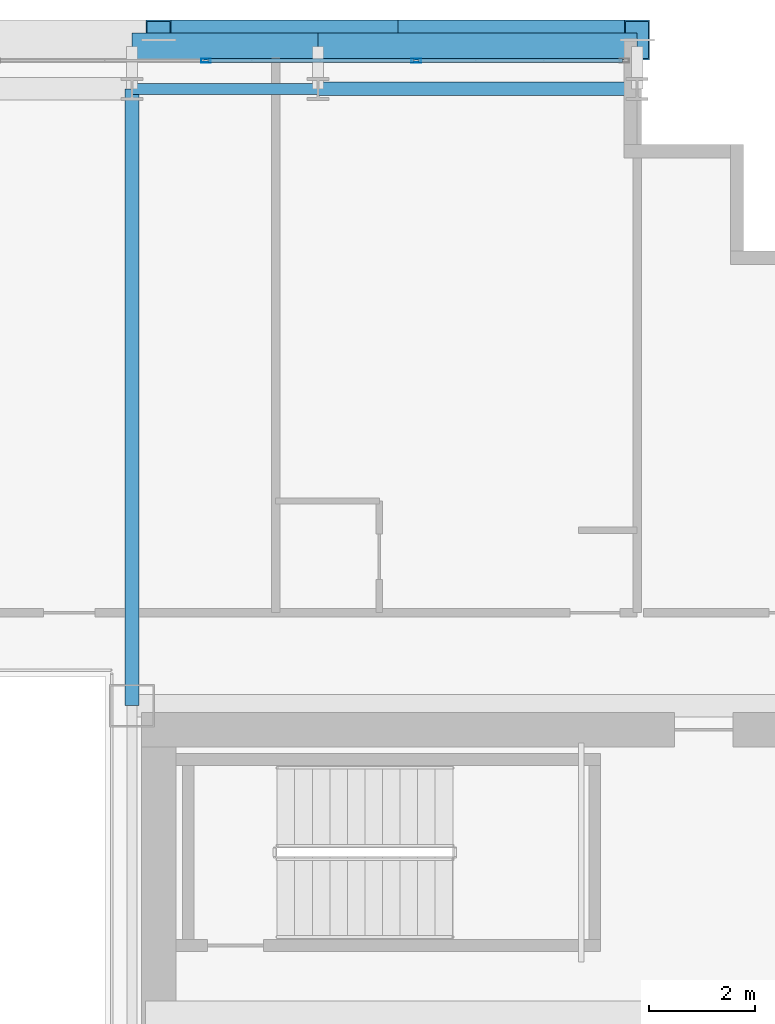
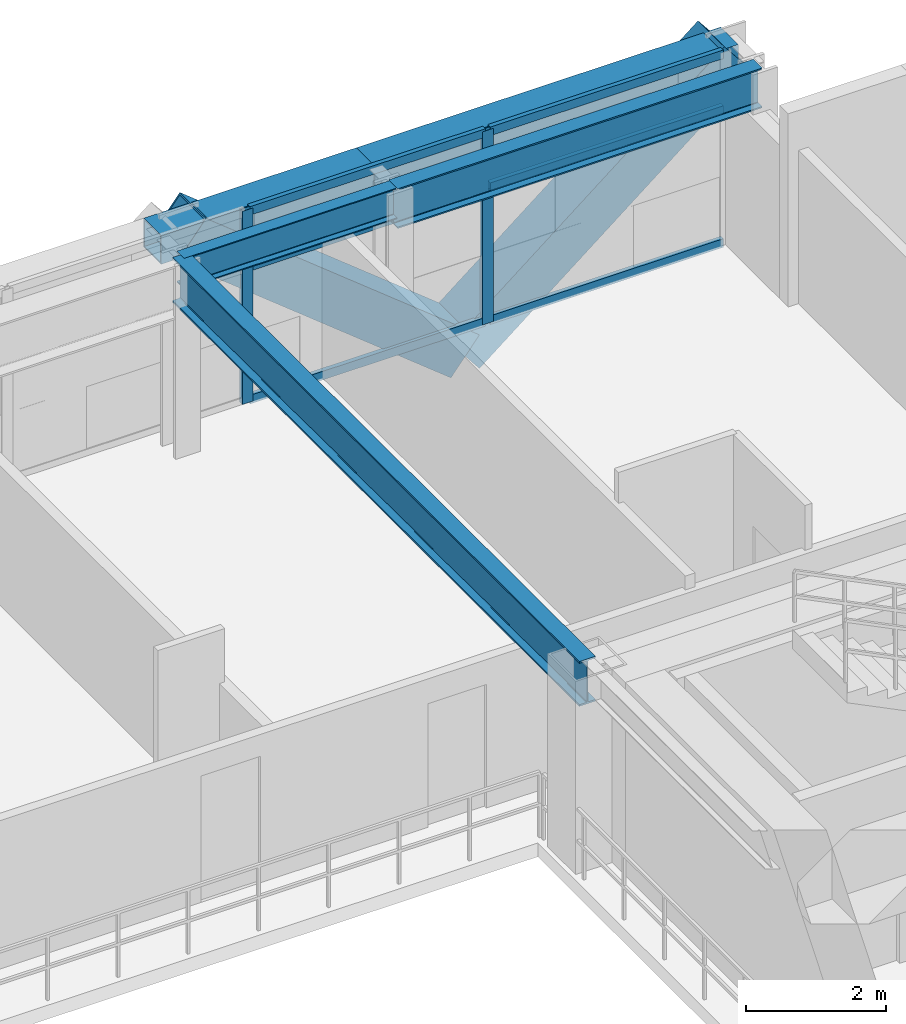
# One storey, part 21 of 35: 10 members, 5 beams, 1 element without a shape of its own.
"""IFC4 building model written with IfcOpenShell, lengths in metres."""

from ifc_helpers import new_model, si_unit, direction, frame, origin, origin_2d, place, context, subcontext, project, spatial, hollow_rectangle, i_section, extrude, source, transform, mapped, material, layer, layer_set, material_profile, profile_set, type_object, element, aggregate, save


model = new_model("IFC4")

# Units and contexts
model_context = context("Model", 3, precision=1e-05, world=origin(), true_north=direction((0.0, 1.0)))
body_context = subcontext(model_context, "Body", "Model", "MODEL_VIEW")
ifc_project = project(units=[si_unit("LENGTHUNIT", "METRE"), si_unit("AREAUNIT", "SQUARE_METRE"), si_unit("VOLUMEUNIT", "CUBIC_METRE"), si_unit("PLANEANGLEUNIT", "RADIAN"), si_unit("MASSUNIT", "GRAM", prefix="KILO")], contexts=[model_context])

# Site, building, storey
site_placement = place(None, origin())
site = spatial("IfcSite", under=ifc_project, at=site_placement, CompositionType="ELEMENT")
building_placement = place(site_placement, origin())
building = spatial("IfcBuilding", under=site, at=building_placement, Name="Ocotamira Hotel", CompositionType="ELEMENT")
storey_placement = place(building_placement, frame((0.0, 0.0, 115.199951171875)))
storey = spatial("IfcBuildingStorey", under=building, at=storey_placement, Name="L28", CompositionType="ELEMENT", Elevation=115.199951171875)

# Beams
ifc_material_1 = material(Name="Steel ASTM A992 Grade 50", Category="steel")
ifc_material_profile_1 = material_profile(ifc_material_1, i_section(OverallWidth=0.256103515625, OverallDepth=0.693115234375, WebThickness=0.014404296875, FlangeThickness=0.023681640625, FilletRadius=0.01611328125, at=origin_2d()), Name="W27X114")
ifc_profile_set_1 = profile_set([ifc_material_profile_1], Name="Steel ASTM A992 Grade 50")
beam_type_1 = type_object("IfcBeamType", Name="BM-PRIM-W27X114", PredefinedType="BEAM", material=ifc_profile_set_1)
shared_shape_1 = source(origin(), body_context, "Body", "SweptSolid", [
    extrude(i_section(OverallWidth=0.256103515625, OverallDepth=0.693115234375, WebThickness=0.014404296875, FlangeThickness=0.023681640625, FilletRadius=0.01611328125, at=origin_2d()), origin(), (0.0, 0.0, 1.0), 6.0),
])
beam_1_placement = place(storey_placement, frame((44.0, 49.050048828125, 3.013427734375), z_axis=(1.0, 0.0, 0.0), x_axis=(0.0, 1.0, 0.0)))
element("IfcBeam", 1, at=beam_1_placement, inside=storey, type_object=beam_type_1, Name="L28 Girder Y49.05 X44-50", PredefinedType="BEAM", context=body_context, shape_type="MappedRepresentation", body=[
    mapped(shared_shape_1, transform((0.0, 0.0, 0.0), scale=1.0)),
])
ifc_material_profile_2 = material_profile(ifc_material_1, i_section(OverallWidth=0.2099609375, OverallDepth=0.537109375, WebThickness=0.010986328125, FlangeThickness=0.017333984375, FilletRadius=0.012939453125, at=origin_2d()), Name="W21X68")
ifc_profile_set_2 = profile_set([ifc_material_profile_2], Name="Steel ASTM A992 Grade 50")
beam_type_2 = type_object("IfcBeamType", Name="BM-SEC-W21X68", PredefinedType="JOIST", material=ifc_profile_set_2)
shared_shape_2 = source(origin(), body_context, "Body", "SweptSolid", [
    extrude(i_section(OverallWidth=0.2099609375, OverallDepth=0.537109375, WebThickness=0.010986328125, FlangeThickness=0.017333984375, FilletRadius=0.012939453125, at=origin_2d()), origin(), (0.0, 0.0, 1.0), 3.5),
])
beam_2_placement = place(storey_placement, frame((40.5, 49.050048828125, 3.091552734375), z_axis=(1.0, 0.0, 0.0), x_axis=(0.0, 1.0, 0.0)))
element("IfcBeam", 2, at=beam_2_placement, inside=storey, type_object=beam_type_2, Name="L28 Girder Y49.05 X40.5-44", PredefinedType="JOIST", context=body_context, shape_type="MappedRepresentation", body=[
    mapped(shared_shape_2, transform((0.0, 0.0, 0.0), scale=1.0)),
])
ifc_material_profile_3 = material_profile(ifc_material_1, i_section(OverallWidth=0.26611328125, OverallDepth=0.779052734375, WebThickness=0.0166015625, FlangeThickness=0.030029296875, FilletRadius=0.01806640625, at=origin_2d()), Name="W30X148")
ifc_profile_set_3 = profile_set([ifc_material_profile_3], Name="Steel ASTM A992 Grade 50")
beam_type_3 = type_object("IfcBeamType", Name="BM-GIRD-W30X148", PredefinedType="BEAM", material=ifc_profile_set_3)
shared_shape_3 = source(origin(), body_context, "Body", "SweptSolid", [
    extrude(i_section(OverallWidth=0.26611328125, OverallDepth=0.779052734375, WebThickness=0.0166015625, FlangeThickness=0.030029296875, FilletRadius=0.01806640625, at=origin_2d()), origin(), (0.0, 0.0, 1.0), 11.60009765625),
])
beam_3_placement = place(storey_placement, frame((40.5, 37.449951171875, 2.970458984375), z_axis=(0.0, 1.0, 0.0), x_axis=(-1.0, 0.0, 0.0)))
element("IfcBeam", 3, at=beam_3_placement, inside=storey, type_object=beam_type_3, Name="L28 Beam X40.5 Y37.45-49.05", PredefinedType="BEAM", context=body_context, shape_type="MappedRepresentation", body=[
    mapped(shared_shape_3, transform((0.0, 0.0, 0.0), scale=1.0)),
])
ifc_material_2 = material(Name="Steel ASTM A500 Grade C", Category="steel")
ifc_material_profile_4 = material_profile(ifc_material_2, hollow_rectangle(XDim=0.5, YDim=0.5, WallThickness=0.02001953125, at=origin_2d()), Name="HSS500X500X20")
ifc_profile_set_4 = profile_set([ifc_material_profile_4], Name="Steel ASTM A500 Grade C")
beam_type_4 = type_object("IfcBeamType", Name="BM-SPAN-HSS500", PredefinedType="USERDEFINED", material=ifc_profile_set_4)
shared_shape_4 = source(origin(), body_context, "Body", "SweptSolid", [
    extrude(hollow_rectangle(XDim=0.5, YDim=0.5, WallThickness=0.02001953125, at=origin_2d()), origin(), (0.0, 0.0, 1.0), 6.0),
])
beam_4_placement = place(storey_placement, frame((44.0, 49.85009765625, 3.110107421875), z_axis=(1.0, 0.0, 0.0), x_axis=(0.0, 1.0, 0.0)))
element("IfcBeam", 4, at=beam_4_placement, inside=storey, type_object=beam_type_4, Name="L28 Edge Spandrel N X44-50", ObjectType="SPANDREL", PredefinedType="USERDEFINED", context=body_context, shape_type="MappedRepresentation", body=[
    mapped(shared_shape_4, transform((0.0, 0.0, 0.0), scale=1.0)),
])
shared_shape_5 = source(origin(), body_context, "Body", "SweptSolid", [
    extrude(hollow_rectangle(XDim=0.5, YDim=0.5, WallThickness=0.02001953125, at=origin_2d()), origin(), (0.0, 0.0, 1.0), 3.5),
])
beam_5_placement = place(storey_placement, frame((40.5, 49.85009765625, 3.110107421875), z_axis=(1.0, 0.0, 0.0), x_axis=(0.0, 1.0, 0.0)))
element("IfcBeam", 5, at=beam_5_placement, inside=storey, type_object=beam_type_4, Name="L28 Edge Spandrel N X40.5-44", ObjectType="SPANDREL", PredefinedType="USERDEFINED", context=body_context, shape_type="MappedRepresentation", body=[
    mapped(shared_shape_5, transform((0.0, 0.0, 0.0), scale=1.0)),
])

# Members
ifc_material_3 = material(Name="Pale-metal coated steel ASTM A913 Grade 65", Category="steel")
ifc_material_profile_5 = material_profile(ifc_material_3, hollow_rectangle(XDim=0.75, YDim=0.75, WallThickness=0.028076171875, at=origin_2d()), Name="BOX750X750X28")
ifc_profile_set_5 = profile_set([ifc_material_profile_5], Name="Pale-metal coated steel ASTM A913 Grade 65")
member_type_1 = type_object("IfcMemberType", Name="MEM-EXO-BOX750", PredefinedType="BRACE", material=ifc_profile_set_5)
shared_shape_6 = source(origin(), body_context, "Body", "SweptSolid", [
    extrude(hollow_rectangle(XDim=0.75, YDim=0.75, WallThickness=0.028076171875, at=origin_2d()), origin(), (0.0, 0.0, 1.0), 5.762939453125),
])
for number, where, z_axis, x_axis, name in (
    (6, (45.5, 49.969970703125, -0.489990234375), (-0.780860543151, 0.0, 0.624705380279), (0.0, -1.0, 0.0), "L28 Exoskeleton Diagrid N3.1"),
    (7, (45.5, 49.969970703125, -0.489990234375), (0.780860543151, 0.0, 0.624705380279), (0.0, 1.0, 0.0), "L28 Exoskeleton Diagrid N3.2"),
):
    element("IfcMember", number, at=place(storey_placement, frame(where, z_axis=z_axis, x_axis=x_axis)), inside=storey, type_object=member_type_1, Name=name, PredefinedType="BRACE", context=body_context, shape_type="MappedRepresentation", body=[
        mapped(shared_shape_6, transform((0.0, 0.0, 0.0), scale=1.0)),
    ])

# Curtain wall, members
ifc_material_4 = material(Name="Anodised pale-metal aluminium and solar glass", Category="aluminium")
ifc_layer = layer(ifc_material_4, 0.179931640625)
ifc_layer_set = layer_set([ifc_layer], Name="Anodised pale-metal aluminium and solar glass")
curtain_wall_type = type_object("IfcCurtainWallType", Name="CW-SYS3-Z2", PredefinedType="NOTDEFINED", material=ifc_layer_set)
curtain_wall_placement = place(storey_placement, origin())
curtain_wall = element("IfcCurtainWall", 8, at=curtain_wall_placement, inside=storey, type_object=curtain_wall_type, Name="L28 Curtain Wall CW-3 CW-L28-N", PredefinedType="NOTDEFINED")
ifc_material_5 = material(Name="Anodised pale-metal aluminium 6063-T6", Category="aluminium")
ifc_material_profile_6 = material_profile(ifc_material_5, hollow_rectangle(XDim=0.074951171875, YDim=0.14990234375, WallThickness=0.006103515625, at=origin_2d()), Name="HSS150X75X6")
ifc_profile_set_6 = profile_set([ifc_material_profile_6], Name="Anodised pale-metal aluminium 6063-T6")
member_type_2 = type_object("IfcMemberType", Name="CWT-150X75", PredefinedType="USERDEFINED", material=ifc_profile_set_6)
shared_shape_7 = source(origin(), body_context, "Body", "SweptSolid", [
    extrude(hollow_rectangle(XDim=0.074951171875, YDim=0.14990234375, WallThickness=0.006103515625, at=origin_2d()), origin(), (0.0, 0.0, 1.0), 3.83544921875),
])
member_1_placement = place(storey_placement, frame((45.884521484375, 49.580078125, 0.03759765625), z_axis=(1.0, 0.0, 0.0), x_axis=(0.0, 1.0, 0.0)))
member_1 = element("IfcMember", 9, at=member_1_placement, type_object=member_type_2, Name="CW-3 transom 9.1", ObjectType="TRANSOM", PredefinedType="USERDEFINED", context=body_context, shape_type="MappedRepresentation", body=[
    mapped(shared_shape_7, transform((0.0, 0.0, 0.0), scale=1.0)),
])
member_2_placement = place(storey_placement, frame((45.884521484375, 49.580078125, 2.35009765625), z_axis=(1.0, 0.0, 0.0), x_axis=(0.0, 1.0, 0.0)))
member_2 = element("IfcMember", 10, at=member_2_placement, type_object=member_type_2, Name="CW-3 transom 9.2", ObjectType="TRANSOM", PredefinedType="USERDEFINED", context=body_context, shape_type="MappedRepresentation", body=[
    mapped(shared_shape_7, transform((0.0, 0.0, 0.0), scale=1.0)),
])
member_3_placement = place(storey_placement, frame((45.884521484375, 49.580078125, 3.322509765625), z_axis=(1.0, 0.0, 0.0), x_axis=(0.0, 1.0, 0.0)))
member_3 = element("IfcMember", 11, at=member_3_placement, type_object=member_type_2, Name="CW-3 transom 9.3", ObjectType="TRANSOM", PredefinedType="USERDEFINED", context=body_context, shape_type="MappedRepresentation", body=[
    mapped(shared_shape_7, transform((0.0, 0.0, 0.0), scale=1.0)),
])
shared_shape_8 = source(origin(), body_context, "Body", "SweptSolid", [
    extrude(hollow_rectangle(XDim=0.074951171875, YDim=0.14990234375, WallThickness=0.006103515625, at=origin_2d()), origin(), (0.0, 0.0, 1.0), 3.87548828125),
])
member_4_placement = place(storey_placement, frame((41.928955078125, 49.580078125, 0.03759765625), z_axis=(1.0, 0.0, 0.0), x_axis=(0.0, 1.0, 0.0)))
member_4 = element("IfcMember", 12, at=member_4_placement, type_object=member_type_2, Name="CW-3 transom 8.1", ObjectType="TRANSOM", PredefinedType="USERDEFINED", context=body_context, shape_type="MappedRepresentation", body=[
    mapped(shared_shape_8, transform((0.0, 0.0, 0.0), scale=1.0)),
])
member_5_placement = place(storey_placement, frame((41.928955078125, 49.580078125, 2.35009765625), z_axis=(1.0, 0.0, 0.0), x_axis=(0.0, 1.0, 0.0)))
member_5 = element("IfcMember", 13, at=member_5_placement, type_object=member_type_2, Name="CW-3 transom 8.2", ObjectType="TRANSOM", PredefinedType="USERDEFINED", context=body_context, shape_type="MappedRepresentation", body=[
    mapped(shared_shape_8, transform((0.0, 0.0, 0.0), scale=1.0)),
])
member_6_placement = place(storey_placement, frame((41.928955078125, 49.580078125, 3.322509765625), z_axis=(1.0, 0.0, 0.0), x_axis=(0.0, 1.0, 0.0)))
member_6 = element("IfcMember", 14, at=member_6_placement, type_object=member_type_2, Name="CW-3 transom 8.3", ObjectType="TRANSOM", PredefinedType="USERDEFINED", context=body_context, shape_type="MappedRepresentation", body=[
    mapped(shared_shape_8, transform((0.0, 0.0, 0.0), scale=1.0)),
])
ifc_material_profile_7 = material_profile(ifc_material_5, hollow_rectangle(XDim=0.080078125, YDim=0.179931640625, WallThickness=0.006103515625, at=origin_2d()), Name="HSS180X80X6")
ifc_profile_set_7 = profile_set([ifc_material_profile_7], Name="Anodised pale-metal aluminium 6063-T6")
member_type_3 = type_object("IfcMemberType", Name="CWM-180X75", PredefinedType="MULLION", material=ifc_profile_set_7)
shared_shape_9 = source(origin(), body_context, "Body", "SweptSolid", [
    extrude(hollow_rectangle(XDim=0.080078125, YDim=0.179931640625, WallThickness=0.006103515625, at=origin_2d()), origin(), (0.0, 0.0, 1.0), 3.360107421875),
])
member_7_placement = place(storey_placement, frame((41.888916015625, 49.580078125, 0.0), z_axis=(0.0, 0.0, 1.0), x_axis=(0.0, 1.0, 0.0)))
member_7 = element("IfcMember", 15, at=member_7_placement, type_object=member_type_3, Name="CW-3 mullion 8", PredefinedType="MULLION", context=body_context, shape_type="MappedRepresentation", body=[
    mapped(shared_shape_9, transform((0.0, 0.0, 0.0), scale=1.0)),
])
member_8_placement = place(storey_placement, frame((45.844482421875, 49.580078125, 0.0), z_axis=(0.0, 0.0, 1.0), x_axis=(0.0, 1.0, 0.0)))
member_8 = element("IfcMember", 16, at=member_8_placement, type_object=member_type_3, Name="CW-3 mullion 9", PredefinedType="MULLION", context=body_context, shape_type="MappedRepresentation", body=[
    mapped(shared_shape_9, transform((0.0, 0.0, 0.0), scale=1.0)),
])
aggregate(curtain_wall, [member_7, member_8, member_4, member_5, member_6, member_1, member_2, member_3])

save(model, "model.ifc")
